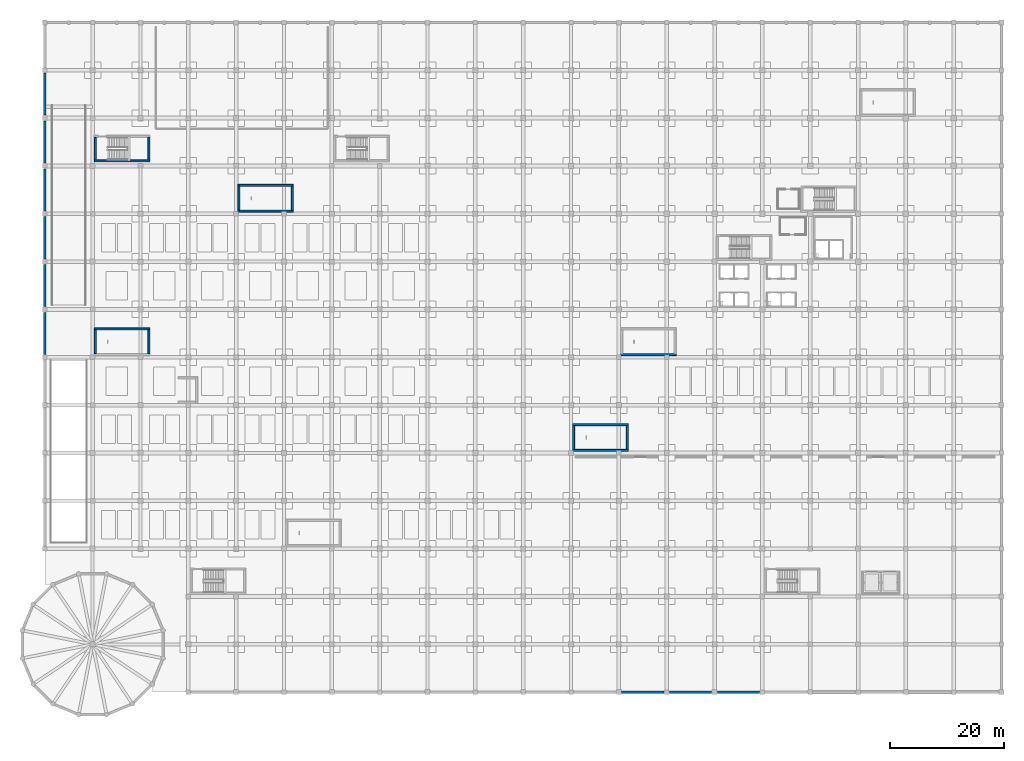
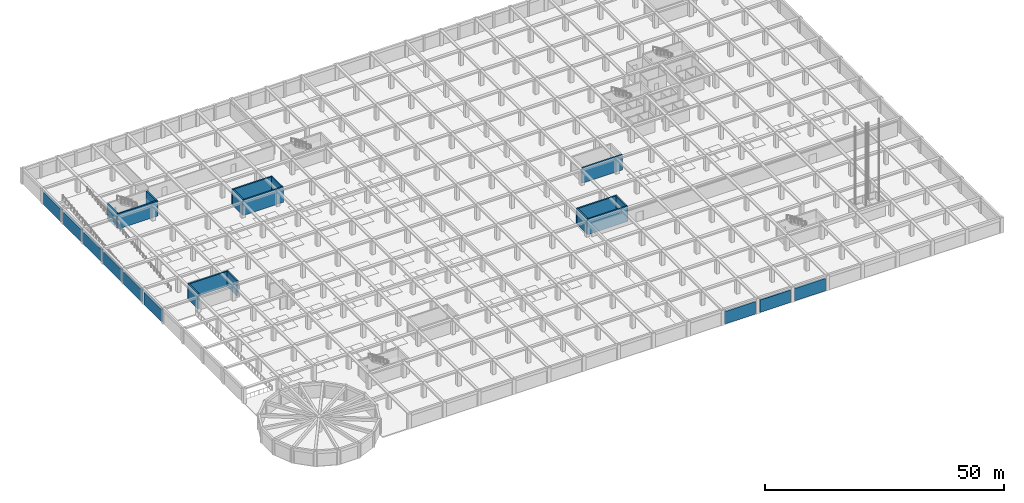
# One storey, part 16 of 32: 24 walls.
"""IFC4 building model written with IfcOpenShell, lengths in metres."""

from ifc_helpers import new_model, si_unit, direction, frame, frame_2d, origin, place, context, subcontext, project, spatial, rectangle, extrude, material, layer, layer_set, type_object, element, save


model = new_model("IFC4")

# Units and contexts
model_context = context("Model", 3, precision=1e-05, world=origin(), true_north=direction((0.0, 1.0)))
body_context = subcontext(model_context, "Body", "Model", "MODEL_VIEW")
ifc_project = project(units=[si_unit("LENGTHUNIT", "METRE"), si_unit("AREAUNIT", "SQUARE_METRE"), si_unit("VOLUMEUNIT", "CUBIC_METRE"), si_unit("PLANEANGLEUNIT", "RADIAN"), si_unit("MASSUNIT", "GRAM", prefix="KILO")], contexts=[model_context])

# Site, building, storey
site_placement = place(None, origin())
site = spatial("IfcSite", under=ifc_project, at=site_placement, CompositionType="ELEMENT")
building_placement = place(site_placement, origin())
building = spatial("IfcBuilding", under=site, at=building_placement, Name="Almacenes y Pasaje Nevantli", CompositionType="ELEMENT")
storey_placement = place(building_placement, frame((0.0, 0.0, -4.199951171875)))
storey = spatial("IfcBuildingStorey", under=building, at=storey_placement, Name="B01", CompositionType="ELEMENT", Elevation=-4.199951171875)

# Walls
ifc_material_1 = material(Name="Concrete C45/55", Category="concrete")
ifc_layer_1 = layer(ifc_material_1, 0.35009765625)
ifc_layer_set_1 = layer_set([ifc_layer_1], Name="Concrete C45/55")
wall_type_1 = type_object("IfcWallType", Name="WL-CORE-350", PredefinedType="SHEAR", material=ifc_layer_set_1)
wall_1_placement = place(storey_placement, frame((8.699951171875, 93.27490234375, 0.0), z_axis=(0.0, 0.0, 1.0), x_axis=(1.0, 0.0, 0.0)))
element("IfcWall", 1, at=wall_1_placement, inside=storey, type_object=wall_type_1, Name="B01 Exit Stair ST-03 South Core Shear Wall", PredefinedType="SHEAR", context=body_context, shape_type="SweptSolid", body=[
    extrude(rectangle(XDim=9.75, YDim=0.35009765625, at=frame_2d((4.875, 0.0))), origin(), (0.0, 0.0, 1.0), 3.8798828125),
])
for number, where, z_axis, x_axis, name in (
    (2, (8.875, 93.449951171875, 0.0), (0.0, 0.0, 1.0), (0.0, 1.0, 0.0), "B01 Exit Stair ST-03 West Core Shear Wall"),
    (3, (18.27490234375, 93.449951171875, 0.0), (0.0, 0.0, 1.0), (0.0, 1.0, 0.0), "B01 Exit Stair ST-03 East Core Shear Wall"),
):
    element("IfcWall", number, at=place(storey_placement, frame(where, z_axis=z_axis, x_axis=x_axis)), inside=storey, type_object=wall_type_1, Name=name, PredefinedType="SHEAR", context=body_context, shape_type="SweptSolid", body=[
        extrude(rectangle(XDim=3.949951171875, YDim=0.35009765625, at=frame_2d((1.97509765625, 0.0))), origin(), (0.0, 0.0, 1.0), 3.8798828125),
    ])
for number, where, z_axis, x_axis, name in (
    (4, (92.699951171875, 42.47509765625, 0.0), (0.0, 0.0, 1.0), (1.0, 0.0, 0.0), "B01 Exit Stair ST-08 South Core Shear Wall"),
    (5, (92.699951171875, 46.97509765625, 0.0), (0.0, 0.0, 1.0), (1.0, 0.0, 0.0), "B01 Exit Stair ST-08 North Core Shear Wall"),
):
    element("IfcWall", number, at=place(storey_placement, frame(where, z_axis=z_axis, x_axis=x_axis)), inside=storey, type_object=wall_type_1, Name=name, PredefinedType="SHEAR", context=body_context, shape_type="SweptSolid", body=[
        extrude(rectangle(XDim=9.75, YDim=0.35009765625, at=frame_2d((4.875, 0.0))), origin(), (0.0, 0.0, 1.0), 3.8798828125),
    ])
for number, where, z_axis, x_axis, name in (
    (6, (92.875, 42.64990234375, 0.0), (0.0, 0.0, 1.0), (0.0, 1.0, 0.0), "B01 Exit Stair ST-08 West Core Shear Wall"),
    (7, (102.27490234375, 42.64990234375, 0.0), (0.0, 0.0, 1.0), (0.0, 1.0, 0.0), "B01 Exit Stair ST-08 East Core Shear Wall"),
):
    element("IfcWall", number, at=place(storey_placement, frame(where, z_axis=z_axis, x_axis=x_axis)), inside=storey, type_object=wall_type_1, Name=name, PredefinedType="SHEAR", context=body_context, shape_type="SweptSolid", body=[
        extrude(rectangle(XDim=4.150146484375, YDim=0.35009765625, at=frame_2d((2.0751953125, 0.0))), origin(), (0.0, 0.0, 1.0), 3.8798828125),
    ])
wall_2_placement = place(storey_placement, frame((8.699951171875, 63.77490234375, 0.0), z_axis=(0.0, 0.0, 1.0), x_axis=(1.0, 0.0, 0.0)))
element("IfcWall", 8, at=wall_2_placement, inside=storey, type_object=wall_type_1, Name="B01 Exit Stair ST-12 North Core Shear Wall", PredefinedType="SHEAR", context=body_context, shape_type="SweptSolid", body=[
    extrude(rectangle(XDim=9.75, YDim=0.35009765625, at=frame_2d((4.875, 0.0))), origin(), (0.0, 0.0, 1.0), 3.8798828125),
])
for number, where, z_axis, x_axis, name in (
    (9, (8.875, 59.449951171875, 0.0), (0.0, 0.0, 1.0), (0.0, 1.0, 0.0), "B01 Exit Stair ST-12 West Core Shear Wall"),
    (10, (18.27490234375, 59.449951171875, 0.0), (0.0, 0.0, 1.0), (0.0, 1.0, 0.0), "B01 Exit Stair ST-12 East Core Shear Wall"),
):
    element("IfcWall", number, at=place(storey_placement, frame(where, z_axis=z_axis, x_axis=x_axis)), inside=storey, type_object=wall_type_1, Name=name, PredefinedType="SHEAR", context=body_context, shape_type="SweptSolid", body=[
        extrude(rectangle(XDim=4.150146484375, YDim=0.35009765625, at=frame_2d((2.0751953125, 0.0))), origin(), (0.0, 0.0, 1.0), 3.8798828125),
    ])
for number, where, z_axis, x_axis, name in (
    (11, (101.10009765625, 59.27490234375, 0.0), (0.0, 0.0, 1.0), (1.0, 0.0, 0.0), "B01 Exit Stair ST-13 South Core Shear Wall"),
    (12, (33.89990234375, 84.47509765625, 0.0), (0.0, 0.0, 1.0), (1.0, 0.0, 0.0), "B01 Exit Stair ST-15 South Core Shear Wall"),
    (13, (33.89990234375, 88.97509765625, 0.0), (0.0, 0.0, 1.0), (1.0, 0.0, 0.0), "B01 Exit Stair ST-15 North Core Shear Wall"),
):
    element("IfcWall", number, at=place(storey_placement, frame(where, z_axis=z_axis, x_axis=x_axis)), inside=storey, type_object=wall_type_1, Name=name, PredefinedType="SHEAR", context=body_context, shape_type="SweptSolid", body=[
        extrude(rectangle(XDim=9.75, YDim=0.35009765625, at=frame_2d((4.875, 0.0))), origin(), (0.0, 0.0, 1.0), 3.8798828125),
    ])
for number, where, z_axis, x_axis, name in (
    (14, (34.074951171875, 84.64990234375, 0.0), (0.0, 0.0, 1.0), (0.0, 1.0, 0.0), "B01 Exit Stair ST-15 West Core Shear Wall"),
    (15, (43.47509765625, 84.64990234375, 0.0), (0.0, 0.0, 1.0), (0.0, 1.0, 0.0), "B01 Exit Stair ST-15 East Core Shear Wall"),
):
    element("IfcWall", number, at=place(storey_placement, frame(where, z_axis=z_axis, x_axis=x_axis)), inside=storey, type_object=wall_type_1, Name=name, PredefinedType="SHEAR", context=body_context, shape_type="SweptSolid", body=[
        extrude(rectangle(XDim=4.150146484375, YDim=0.35009765625, at=frame_2d((2.0751953125, 0.0))), origin(), (0.0, 0.0, 1.0), 3.8798828125),
    ])
ifc_material_2 = material(Name="Concrete C45/55", Category="concrete")
ifc_layer_2 = layer(ifc_material_2, 0.39990234375)
ifc_layer_set_2 = layer_set([ifc_layer_2], Name="Concrete C45/55")
wall_type_2 = type_object("IfcWallType", Name="WL-SHEAR-400", PredefinedType="SHEAR", material=ifc_layer_set_2)
wall_3_placement = place(storey_placement, frame((101.300048828125, 0.0, 0.0), z_axis=(0.0, 0.0, 1.0), x_axis=(1.0, 0.0, 0.0)))
element("IfcWall", 16, at=wall_3_placement, inside=storey, type_object=wall_type_2, Name="B01 South Basement Retaining Shear Wall #13", PredefinedType="SHEAR", context=body_context, shape_type="SweptSolid", body=[
    extrude(rectangle(XDim=7.39990234375, YDim=0.39990234375, at=frame_2d((3.699951171875, 0.0))), origin(), (0.0, 0.0, 1.0), 3.159912109375),
])
wall_4_placement = place(storey_placement, frame((109.699951171875, 0.0, 0.0), z_axis=(0.0, 0.0, 1.0), x_axis=(1.0, 0.0, 0.0)))
element("IfcWall", 17, at=wall_4_placement, inside=storey, type_object=wall_type_2, Name="B01 South Basement Retaining Shear Wall #14", PredefinedType="SHEAR", context=body_context, shape_type="SweptSolid", body=[
    extrude(rectangle(XDim=7.400146484375, YDim=0.39990234375, at=frame_2d((3.7001953125, 0.0))), origin(), (0.0, 0.0, 1.0), 3.159912109375),
])
for number, where, z_axis, x_axis, name in (
    (18, (118.10009765625, 0.0, 0.0), (0.0, 0.0, 1.0), (1.0, 0.0, 0.0), "B01 South Basement Retaining Shear Wall #15"),
    (19, (0.0, 59.300048828125, 0.0), (0.0, 0.0, 1.0), (0.0, 1.0, 0.0), "B01 West Basement Retaining Shear Wall #8"),
):
    element("IfcWall", number, at=place(storey_placement, frame(where, z_axis=z_axis, x_axis=x_axis)), inside=storey, type_object=wall_type_2, Name=name, PredefinedType="SHEAR", context=body_context, shape_type="SweptSolid", body=[
        extrude(rectangle(XDim=7.39990234375, YDim=0.39990234375, at=frame_2d((3.699951171875, 0.0))), origin(), (0.0, 0.0, 1.0), 3.159912109375),
    ])
wall_5_placement = place(storey_placement, frame((0.0, 67.699951171875, 0.0), z_axis=(0.0, 0.0, 1.0), x_axis=(0.0, 1.0, 0.0)))
element("IfcWall", 20, at=wall_5_placement, inside=storey, type_object=wall_type_2, Name="B01 West Basement Retaining Shear Wall #9", PredefinedType="SHEAR", context=body_context, shape_type="SweptSolid", body=[
    extrude(rectangle(XDim=7.400146484375, YDim=0.39990234375, at=frame_2d((3.7001953125, 0.0))), origin(), (0.0, 0.0, 1.0), 3.159912109375),
])
for number, where, z_axis, x_axis, name in (
    (21, (0.0, 76.10009765625, 0.0), (0.0, 0.0, 1.0), (0.0, 1.0, 0.0), "B01 West Basement Retaining Shear Wall #10"),
    (22, (0.0, 84.5, 0.0), (0.0, 0.0, 1.0), (0.0, 1.0, 0.0), "B01 West Basement Retaining Shear Wall #11"),
):
    element("IfcWall", number, at=place(storey_placement, frame(where, z_axis=z_axis, x_axis=x_axis)), inside=storey, type_object=wall_type_2, Name=name, PredefinedType="SHEAR", context=body_context, shape_type="SweptSolid", body=[
        extrude(rectangle(XDim=7.39990234375, YDim=0.39990234375, at=frame_2d((3.699951171875, 0.0))), origin(), (0.0, 0.0, 1.0), 3.159912109375),
    ])
wall_6_placement = place(storey_placement, frame((0.0, 92.89990234375, 0.0), z_axis=(0.0, 0.0, 1.0), x_axis=(0.0, 1.0, 0.0)))
element("IfcWall", 23, at=wall_6_placement, inside=storey, type_object=wall_type_2, Name="B01 West Basement Retaining Shear Wall #12", PredefinedType="SHEAR", context=body_context, shape_type="SweptSolid", body=[
    extrude(rectangle(XDim=7.400146484375, YDim=0.39990234375, at=frame_2d((3.7001953125, 0.0))), origin(), (0.0, 0.0, 1.0), 3.159912109375),
])
wall_7_placement = place(storey_placement, frame((0.0, 101.300048828125, 0.0), z_axis=(0.0, 0.0, 1.0), x_axis=(0.0, 1.0, 0.0)))
element("IfcWall", 24, at=wall_7_placement, inside=storey, type_object=wall_type_2, Name="B01 West Basement Retaining Shear Wall #13", PredefinedType="SHEAR", context=body_context, shape_type="SweptSolid", body=[
    extrude(rectangle(XDim=7.39990234375, YDim=0.39990234375, at=frame_2d((3.699951171875, 0.0))), origin(), (0.0, 0.0, 1.0), 3.159912109375),
])

save(model, "model.ifc")
